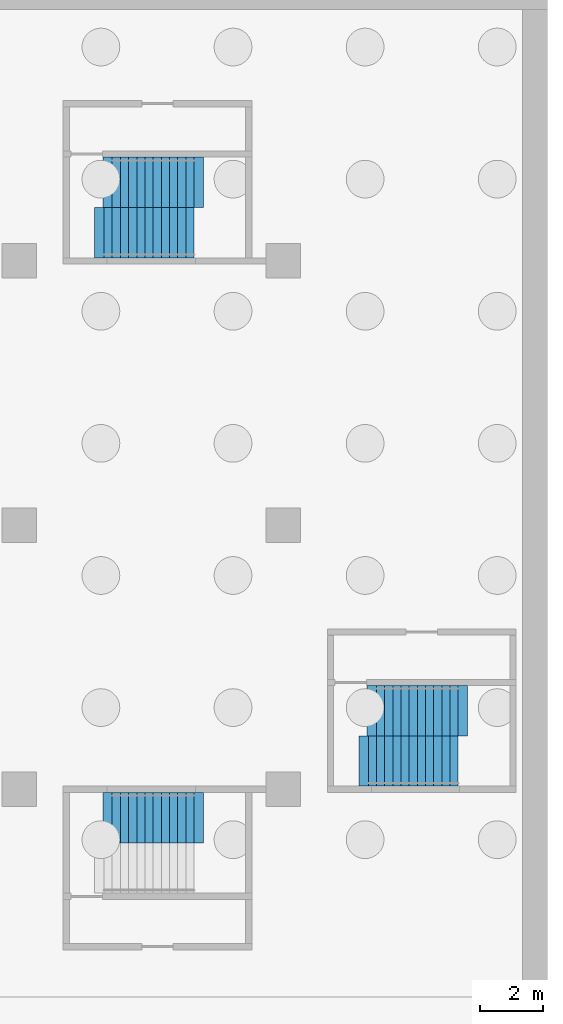
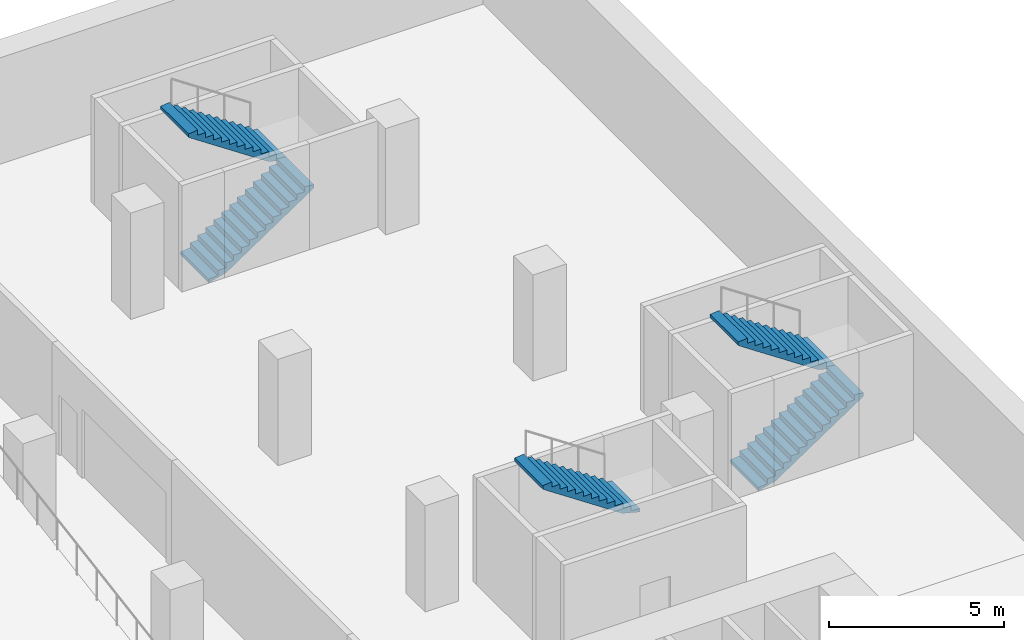
# One storey, part 6 of 8: 5 stair flights, 3 elements without a shape of their own.
"""IFC4 building model written with IfcOpenShell, lengths in metres."""

from ifc_helpers import new_model, si_unit, direction, frame, origin, place, context, subcontext, project, spatial, polyline, outline, extrude, material, type_object, element, aggregate, save


model = new_model("IFC4")

# Units and contexts
model_context = context("Model", 3, precision=1e-05, world=origin(), true_north=direction((0.0, 1.0)))
body_context = subcontext(model_context, "Body", "Model", "MODEL_VIEW")
ifc_project = project(units=[si_unit("LENGTHUNIT", "METRE"), si_unit("AREAUNIT", "SQUARE_METRE"), si_unit("VOLUMEUNIT", "CUBIC_METRE"), si_unit("PLANEANGLEUNIT", "RADIAN"), si_unit("MASSUNIT", "GRAM", prefix="KILO")], contexts=[model_context])

# Site, building, storey
site_placement = place(None, origin())
site = spatial("IfcSite", under=ifc_project, at=site_placement, CompositionType="ELEMENT")
building_placement = place(site_placement, origin())
building = spatial("IfcBuilding", under=site, at=building_placement, Name="Vermilion Gate Residences", CompositionType="ELEMENT")
storey_placement = place(building_placement, frame((0.0, 0.0, -16.0)))
storey = spatial("IfcBuildingStorey", under=building, at=storey_placement, Name="B4", CompositionType="ELEMENT", Elevation=-16.0)

# Stair, stair flight
ifc_material_1 = material(Name="Concrete C30", Category="concrete")
stair_type = type_object("IfcStairType", Name="ESCAPE STAIR 1200 (AMENITY)", PredefinedType="HALF_TURN_STAIR", material=ifc_material_1)
stair_1_placement = place(storey_placement, origin())
stair_1 = element("IfcStair", 1, at=stair_1_placement, inside=storey, type_object=stair_type, Name="Garage escape stair 4 B4 to B3", PredefinedType="HALF_TURN_STAIR")
ifc_material_2 = material(Name="Concrete C30", Category="concrete")
stair_flight_type = type_object("IfcStairFlightType", Name="ESCAPE STAIR FLIGHT 1200 (AMENITY)", PredefinedType="STRAIGHT", material=ifc_material_2)
stair_flight_1_placement = place(storey_placement, frame((55.9599609375, 32.699951171875, 2.0869140625), z_axis=(0.0, 0.0, 1.0), x_axis=(-1.0, 0.0, 0.0)))
stair_flight_1 = element("IfcStairFlight", 2, at=stair_flight_1_placement, type_object=stair_flight_type, Name="STG4 flight 2", NumberOfRisers=11, NumberOfTreads=10, PredefinedType="STRAIGHT", RiserHeight=0.173913043, TreadLength=0.26, context=body_context, shape_type="SweptSolid", body=[
    extrude(outline(polyline([(-0.300048828125, -0.14990234375), (-0.300048828125, -0.030029296875), (0.0, 0.0), (0.0, 0.173828125), (0.260009765625, 0.173828125), (0.260009765625, 0.347900390625), (0.52001953125, 0.347900390625), (0.52001953125, 0.521728515625), (0.780029296875, 0.521728515625), (0.780029296875, 0.695556640625), (1.0400390625, 0.695556640625), (1.0400390625, 0.86962890625), (1.300048828125, 0.86962890625), (1.300048828125, 1.04345703125), (1.56005859375, 1.04345703125), (1.56005859375, 1.21728515625), (1.820068359375, 1.21728515625), (1.820068359375, 1.391357421875), (2.080078125, 1.391357421875), (2.080078125, 1.565185546875), (2.340087890625, 1.565185546875), (2.340087890625, 1.739013671875), (2.60009765625, 1.739013671875), (2.60009765625, 1.9130859375), (2.89990234375, 1.883056640625), (2.89990234375, 1.76318359375), (2.60009765625, 1.558837890625), (0.26953125, 0.0), (-0.300048828125, -0.14990234375)])), frame((0.0, 0.800048828125, 0.0), z_axis=(0.0, -1.0, 0.0), x_axis=(1.0, 0.0, 0.0)), (0.0, 0.0, 1.0), 1.60009765625),
])
aggregate(stair_1, [stair_flight_1])

# Stair, stair flights
stair_2_placement = place(storey_placement, origin())
stair_2 = element("IfcStair", 3, at=stair_2_placement, inside=storey, type_object=stair_type, Name="Garage escape stair 15 B4 to B3", PredefinedType="HALF_TURN_STAIR")
stair_flight_2_placement = place(storey_placement, frame((53.10009765625, 51.300048828125, 0.0), z_axis=(0.0, 0.0, 1.0), x_axis=(1.0, 0.0, 0.0)))
stair_flight_2 = element("IfcStairFlight", 4, at=stair_flight_2_placement, type_object=stair_flight_type, Name="STG15 flight 1", NumberOfRisers=12, NumberOfTreads=11, PredefinedType="STRAIGHT", RiserHeight=0.173913043, TreadLength=0.26, context=body_context, shape_type="SweptSolid", body=[
    extrude(outline(polyline([(-0.300048828125, -0.14990234375), (-0.300048828125, -0.030029296875), (0.0, 0.0), (0.0, 0.173828125), (0.260009765625, 0.173828125), (0.260009765625, 0.347900390625), (0.52001953125, 0.347900390625), (0.52001953125, 0.521728515625), (0.780029296875, 0.521728515625), (0.780029296875, 0.695556640625), (1.0400390625, 0.695556640625), (1.0400390625, 0.86962890625), (1.300048828125, 0.86962890625), (1.300048828125, 1.04345703125), (1.56005859375, 1.04345703125), (1.56005859375, 1.21728515625), (1.820068359375, 1.21728515625), (1.820068359375, 1.391357421875), (2.080078125, 1.391357421875), (2.080078125, 1.565185546875), (2.340087890625, 1.565185546875), (2.340087890625, 1.739013671875), (2.60009765625, 1.739013671875), (2.60009765625, 1.9130859375), (2.860107421875, 1.9130859375), (2.860107421875, 2.0869140625), (3.159912109375, 2.056884765625), (3.159912109375, 1.93701171875), (2.860107421875, 1.732666015625), (0.26953125, 0.0), (-0.300048828125, -0.14990234375)])), frame((0.0, 0.800048828125, 0.0), z_axis=(0.0, -1.0, 0.0), x_axis=(1.0, 0.0, 0.0)), (0.0, 0.0, 1.0), 1.60009765625),
])
stair_flight_3_placement = place(storey_placement, frame((55.9599609375, 52.89990234375, 2.0869140625), z_axis=(0.0, 0.0, 1.0), x_axis=(-1.0, 0.0, 0.0)))
stair_flight_3 = element("IfcStairFlight", 5, at=stair_flight_3_placement, type_object=stair_flight_type, Name="STG15 flight 2", NumberOfRisers=11, NumberOfTreads=10, PredefinedType="STRAIGHT", RiserHeight=0.173913043, TreadLength=0.26, context=body_context, shape_type="SweptSolid", body=[
    extrude(outline(polyline([(-0.300048828125, -0.14990234375), (-0.300048828125, -0.030029296875), (0.0, 0.0), (0.0, 0.173828125), (0.260009765625, 0.173828125), (0.260009765625, 0.347900390625), (0.52001953125, 0.347900390625), (0.52001953125, 0.521728515625), (0.780029296875, 0.521728515625), (0.780029296875, 0.695556640625), (1.0400390625, 0.695556640625), (1.0400390625, 0.86962890625), (1.300048828125, 0.86962890625), (1.300048828125, 1.04345703125), (1.56005859375, 1.04345703125), (1.56005859375, 1.21728515625), (1.820068359375, 1.21728515625), (1.820068359375, 1.391357421875), (2.080078125, 1.391357421875), (2.080078125, 1.565185546875), (2.340087890625, 1.565185546875), (2.340087890625, 1.739013671875), (2.60009765625, 1.739013671875), (2.60009765625, 1.9130859375), (2.89990234375, 1.883056640625), (2.89990234375, 1.76318359375), (2.60009765625, 1.558837890625), (0.26953125, 0.0), (-0.300048828125, -0.14990234375)])), frame((0.0, 0.800048828125, 0.0), z_axis=(0.0, -1.0, 0.0), x_axis=(1.0, 0.0, 0.0)), (0.0, 0.0, 1.0), 1.60009765625),
])
aggregate(stair_2, [stair_flight_2, stair_flight_3])

stair_3_placement = place(storey_placement, origin())
stair_3 = element("IfcStair", 6, at=stair_3_placement, inside=storey, type_object=stair_type, Name="Garage escape stair 16 B4 to B3", PredefinedType="HALF_TURN_STAIR")
stair_flight_4_placement = place(storey_placement, frame((61.5, 34.5, 0.0), z_axis=(0.0, 0.0, 1.0), x_axis=(1.0, 0.0, 0.0)))
stair_flight_4 = element("IfcStairFlight", 7, at=stair_flight_4_placement, type_object=stair_flight_type, Name="STG16 flight 1", NumberOfRisers=12, NumberOfTreads=11, PredefinedType="STRAIGHT", RiserHeight=0.173913043, TreadLength=0.26, context=body_context, shape_type="SweptSolid", body=[
    extrude(outline(polyline([(-0.300048828125, -0.14990234375), (-0.300048828125, -0.030029296875), (0.0, 0.0), (0.0, 0.173828125), (0.260009765625, 0.173828125), (0.260009765625, 0.347900390625), (0.52001953125, 0.347900390625), (0.52001953125, 0.521728515625), (0.780029296875, 0.521728515625), (0.780029296875, 0.695556640625), (1.0400390625, 0.695556640625), (1.0400390625, 0.86962890625), (1.300048828125, 0.86962890625), (1.300048828125, 1.04345703125), (1.56005859375, 1.04345703125), (1.56005859375, 1.21728515625), (1.820068359375, 1.21728515625), (1.820068359375, 1.391357421875), (2.080078125, 1.391357421875), (2.080078125, 1.565185546875), (2.340087890625, 1.565185546875), (2.340087890625, 1.739013671875), (2.60009765625, 1.739013671875), (2.60009765625, 1.9130859375), (2.860107421875, 1.9130859375), (2.860107421875, 2.0869140625), (3.159912109375, 2.056884765625), (3.159912109375, 1.93701171875), (2.860107421875, 1.732666015625), (0.26953125, 0.0), (-0.300048828125, -0.14990234375)])), frame((0.0, 0.800048828125, 0.0), z_axis=(0.0, -1.0, 0.0), x_axis=(1.0, 0.0, 0.0)), (0.0, 0.0, 1.0), 1.60009765625),
])
stair_flight_5_placement = place(storey_placement, frame((64.360107421875, 36.10009765625, 2.0869140625), z_axis=(0.0, 0.0, 1.0), x_axis=(-1.0, 0.0, 0.0)))
stair_flight_5 = element("IfcStairFlight", 8, at=stair_flight_5_placement, type_object=stair_flight_type, Name="STG16 flight 2", NumberOfRisers=11, NumberOfTreads=10, PredefinedType="STRAIGHT", RiserHeight=0.173913043, TreadLength=0.26, context=body_context, shape_type="SweptSolid", body=[
    extrude(outline(polyline([(-0.300048828125, -0.14990234375), (-0.300048828125, -0.030029296875), (0.0, 0.0), (0.0, 0.173828125), (0.260009765625, 0.173828125), (0.260009765625, 0.347900390625), (0.52001953125, 0.347900390625), (0.52001953125, 0.521728515625), (0.780029296875, 0.521728515625), (0.780029296875, 0.695556640625), (1.0400390625, 0.695556640625), (1.0400390625, 0.86962890625), (1.300048828125, 0.86962890625), (1.300048828125, 1.04345703125), (1.56005859375, 1.04345703125), (1.56005859375, 1.21728515625), (1.820068359375, 1.21728515625), (1.820068359375, 1.391357421875), (2.080078125, 1.391357421875), (2.080078125, 1.565185546875), (2.340087890625, 1.565185546875), (2.340087890625, 1.739013671875), (2.60009765625, 1.739013671875), (2.60009765625, 1.9130859375), (2.89990234375, 1.883056640625), (2.89990234375, 1.76318359375), (2.60009765625, 1.558837890625), (0.26953125, 0.0), (-0.300048828125, -0.14990234375)])), frame((0.0, 0.800048828125, 0.0), z_axis=(0.0, -1.0, 0.0), x_axis=(1.0, 0.0, 0.0)), (0.0, 0.0, 1.0), 1.60009765625),
])
aggregate(stair_3, [stair_flight_4, stair_flight_5])

save(model, "model.ifc")
